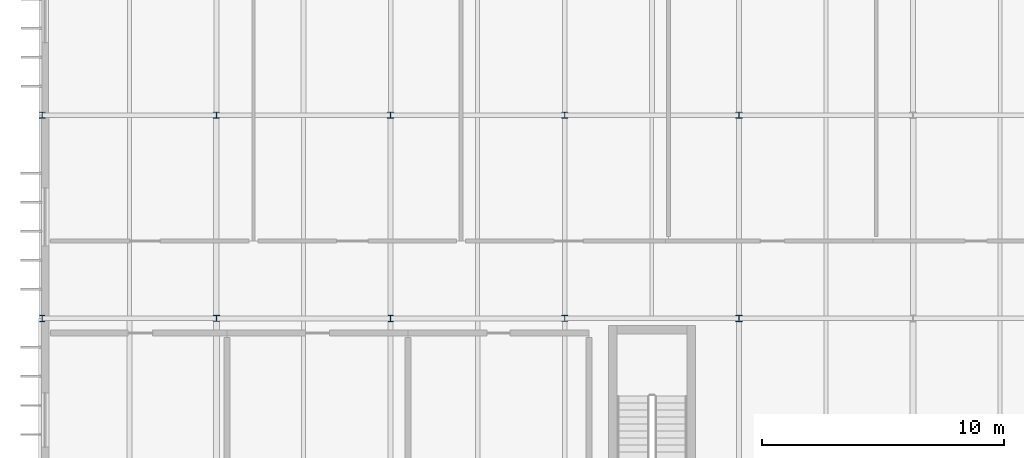
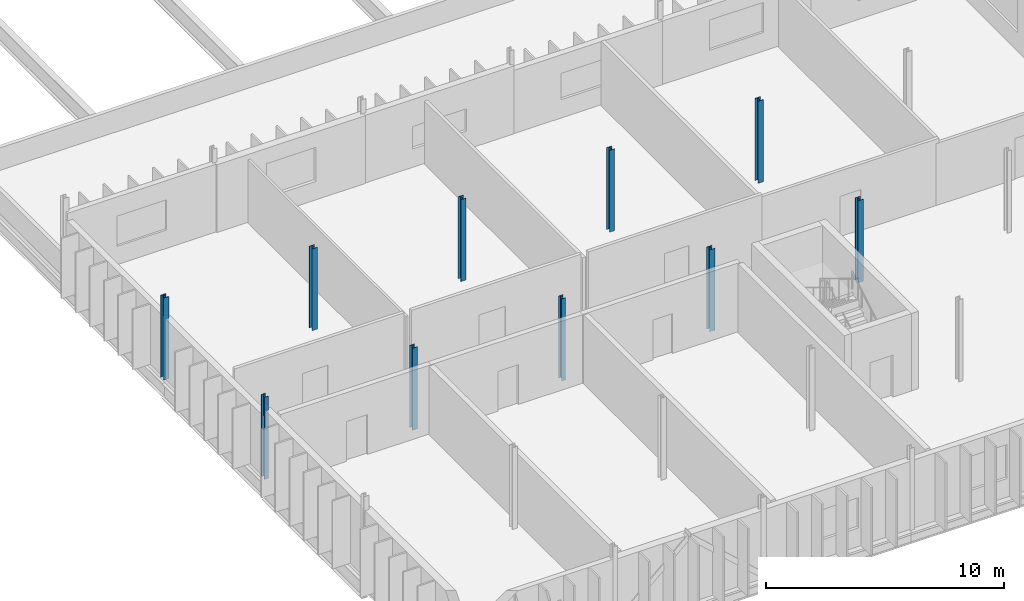
# One storey, part 2 of 119: 10 columns.
"""IFC4 building model written with IfcOpenShell, lengths in metres."""

import ifcopenshell
import ifcopenshell.guid

model = None  # the IFC model being written
_history = None  # IfcOwnerHistory: only IFC2X3 demands one
_inside = {}  # id of a spatial element -> (the spatial element, [elements in it])
_under = {}  # id of a project, library or spatial element -> (it, [spatial elements below it])
_declared = {}  # id of a project -> (the project, [libraries it declares])
_typed = {}  # id of a type object -> (the type object, [elements of that type])
_made_of = {}  # id of a material, layer set ... -> (it, [elements and type objects made of it])


def new_model(schema):
    """Start an empty IFC model of exactly this schema.

    Asked for "IFC4X3", IfcOpenShell would pick the latest addendum, in which some entities
    have other attributes; the version numbers below select the first issue.
    IFC2X3 requires an IfcOwnerHistory on every rooted entity: one is made here for all.
    """
    global model, _history
    if schema == "IFC4X3":
        model = ifcopenshell.file(schema_version=(4, 3, 0, 0))
    else:
        model = ifcopenshell.file(schema=schema)
    _inside.clear()
    _under.clear()
    _declared.clear()
    _typed.clear()
    _made_of.clear()
    _history = None
    if model.schema == "IFC2X3":
        org = make("IfcOrganization", Name="unknown")
        user = make(
            "IfcPersonAndOrganization",
            ThePerson=make("IfcPerson", FamilyName="unknown"),
            TheOrganization=org,
        )
        app = make(
            "IfcApplication",
            ApplicationDeveloper=org,
            Version="unknown",
            ApplicationFullName="unknown",
            ApplicationIdentifier="unknown",
        )
        _history = make(
            "IfcOwnerHistory",
            OwningUser=user,
            OwningApplication=app,
            ChangeAction="ADDED",
            CreationDate=0,
        )
    return model


def make(cls, **values):
    """One entity of the class cls with the attributes given. An attribute that is None is left unset."""
    return model.create_entity(
        cls, **{name: value for name, value in values.items() if value is not None}
    )


def rooted(cls, **values):
    """An entity with a GlobalId (a new one), such as an element, a storey or a relation."""
    return make(cls, GlobalId=ifcopenshell.guid.new(), OwnerHistory=_history, **values)


def si_unit(unit_type, name, prefix=None):
    """IfcSIUnit, for example si_unit("LENGTHUNIT", "METRE", prefix="MILLI")."""
    return make("IfcSIUnit", UnitType=unit_type, Prefix=prefix, Name=name)


def assignment(units):
    """IfcUnitAssignment: the units of a project."""
    return None if units is None else make("IfcUnitAssignment", Units=units)


def point(xyz):
    """IfcCartesianPoint."""
    return None if xyz is None else make("IfcCartesianPoint", Coordinates=xyz)


def direction(xyz):
    """IfcDirection."""
    return None if xyz is None else make("IfcDirection", DirectionRatios=xyz)


def frame(location, z_axis=None, x_axis=None):
    """IfcAxis2Placement3D, a coordinate frame: its origin and axes. An axis left out is left unset."""
    return make(
        "IfcAxis2Placement3D",
        Location=point(location),
        Axis=direction(z_axis),
        RefDirection=direction(x_axis),
    )


def frame_2d(location, x_axis=None):
    """IfcAxis2Placement2D, a coordinate frame in the plane: its origin and x axis."""
    return make(
        "IfcAxis2Placement2D", Location=point(location), RefDirection=direction(x_axis)
    )


def origin():
    """The frame at (0, 0, 0) with its axes left unset."""
    return frame((0.0, 0.0, 0.0))


def origin_2d():
    """The frame at (0, 0) in the plane with its x axis left unset."""
    return frame_2d((0.0, 0.0))


def place(relative_to, where):
    """IfcLocalPlacement: puts the frame where relative to a parent placement (None: the world)."""
    return make(
        "IfcLocalPlacement", PlacementRelTo=relative_to, RelativePlacement=where
    )


def context(
    kind, dimensions, precision=None, world=None, true_north=None, identifier=None
):
    """IfcGeometricRepresentationContext, for example the 3D "Model" context."""
    return make(
        "IfcGeometricRepresentationContext",
        ContextIdentifier=identifier,
        ContextType=kind,
        CoordinateSpaceDimension=dimensions,
        Precision=precision,
        WorldCoordinateSystem=world,
        TrueNorth=true_north,
    )


def subcontext(parent, identifier, kind, view, scale=None):
    """IfcGeometricRepresentationSubContext, for example "Body" below "Model"."""
    return make(
        "IfcGeometricRepresentationSubContext",
        ContextIdentifier=identifier,
        ContextType=kind,
        ParentContext=parent,
        TargetScale=scale,
        TargetView=view,
    )


def project(units=None, contexts=None):
    """IfcProject with its units and contexts."""
    return rooted(
        "IfcProject",
        Name="project",
        RepresentationContexts=contexts,
        UnitsInContext=assignment(units),
    )


def spatial(cls, under=None, at=None, **own):
    """A site, building, storey or space (cls), placed at a placement, below another one or the project."""
    s = rooted(cls, ObjectPlacement=at, **own)
    if under is not None:
        _under.setdefault(under.id(), (under, []))[1].append(s)
    return s


def profile(cls, at=None, kind="AREA", **sizes):
    """A parametric profile (cls). Its sizes go by their IFC names, for example OverallWidth=200.0."""
    return make(cls, ProfileType=kind, Position=at, **sizes)


def i_section(**sizes):
    """IfcIShapeProfileDef."""
    return profile("IfcIShapeProfileDef", **sizes)


def extrude(swept, where, along, depth):
    """IfcExtrudedAreaSolid: the profile swept, set in the frame where, extruded along a direction by depth."""
    return make(
        "IfcExtrudedAreaSolid",
        SweptArea=swept,
        Position=where,
        ExtrudedDirection=direction(along),
        Depth=depth,
    )


def shape(context_of_items, identifier, shape_type, items):
    """IfcShapeRepresentation: the items that make up one representation, for example the "Body"."""
    return make(
        "IfcShapeRepresentation",
        ContextOfItems=context_of_items,
        RepresentationIdentifier=identifier,
        RepresentationType=shape_type,
        Items=items,
    )


def material(Name=None, Category=None):
    """IfcMaterial."""
    return make("IfcMaterial", Name=Name, Category=Category)


def material_profile(
    of_material, cross_section, Name=None, Category=None, Priority=None
):
    """IfcMaterialProfile: a cross section and its material."""
    return make(
        "IfcMaterialProfile",
        Name=Name,
        Material=of_material,
        Profile=cross_section,
        Priority=Priority,
        Category=Category,
    )


def profile_set(profiles, Name=None, composite=None):
    """IfcMaterialProfileSet."""
    return make(
        "IfcMaterialProfileSet",
        Name=Name,
        MaterialProfiles=profiles,
        CompositeProfile=composite,
    )


def made_of(thing, what):
    """Note that an element or type object is made of a material, layer set ...; save() writes the relation."""
    if what is not None:
        _made_of.setdefault(what.id(), (what, []))[1].append(thing)
    return thing


def type_object(cls, material=None, **own):
    """A type object (cls), such as IfcWallType, which elements share."""
    return made_of(rooted(cls, **own), material)


def element(
    cls,
    number,
    at=None,
    inside=None,
    cuts=None,
    type_object=None,
    material=None,
    context=None,
    identifier="Body",
    shape_type=None,
    held_by="IfcProductDefinitionShape",
    body=None,
    shapes=None,
    **own,
):
    """One element of the class cls, such as IfcWall. Its Tag is "e" and its number.

    at: its placement. inside: the storey or other place that contains it. cuts: it is an
    opening in that element (IfcRelVoidsElement). A single representation is given by context,
    identifier, shape_type and body (its items); several are given by shapes. held_by: the class
    of the entity that holds the representations. save() writes the other relations.
    """
    e = rooted(cls, Tag="e%d" % number, ObjectPlacement=at, **own)
    if body is not None:
        shapes = [shape(context, identifier, shape_type, body)]
    if shapes is not None:
        e.Representation = make(held_by, Representations=shapes)
    if inside is not None:
        _inside.setdefault(inside.id(), (inside, []))[1].append(e)
    if cuts is not None:
        rooted(
            "IfcRelVoidsElement", RelatingBuildingElement=cuts, RelatedOpeningElement=e
        )
    if type_object is not None:
        _typed.setdefault(type_object.id(), (type_object, []))[1].append(e)
    return made_of(e, material)


def aggregate(whole, parts):
    """IfcRelAggregates: a whole, such as a stair, and the parts it consists of."""
    return rooted("IfcRelAggregates", RelatingObject=whole, RelatedObjects=parts)


def save(model, path):
    """Write the relations noted so far, then the file.

    IfcRelAggregates (storeys below a building ...), IfcRelContainedInSpatialStructure (elements
    in a storey), IfcRelDefinesByType, IfcRelAssociatesMaterial and IfcRelDeclares: one each for
    every whole, place, type object, material and project.
    """
    for whole, parts in _under.values():
        aggregate(whole, parts)
    for where, things in _inside.values():
        rooted(
            "IfcRelContainedInSpatialStructure",
            RelatedElements=things,
            RelatingStructure=where,
        )
    for kind, things in _typed.values():
        rooted("IfcRelDefinesByType", RelatedObjects=things, RelatingType=kind)
    for what, things in _made_of.values():
        rooted("IfcRelAssociatesMaterial", RelatedObjects=things, RelatingMaterial=what)
    for by, libraries in _declared.values():
        rooted("IfcRelDeclares", RelatingContext=by, RelatedDefinitions=libraries)
    model.write(path)


model = new_model("IFC4")

# Units and contexts
model_context = context("Model", 3, precision=1e-05, world=origin(), true_north=direction((0.0, 1.0)))
body_context = subcontext(model_context, "Body", "Model", "MODEL_VIEW")
ifc_project = project(units=[si_unit("LENGTHUNIT", "METRE"), si_unit("AREAUNIT", "SQUARE_METRE"), si_unit("VOLUMEUNIT", "CUBIC_METRE"), si_unit("PLANEANGLEUNIT", "RADIAN"), si_unit("MASSUNIT", "GRAM", prefix="KILO")], contexts=[model_context])

# Site, building, storey
site_placement = place(None, origin())
site = spatial("IfcSite", under=ifc_project, at=site_placement, CompositionType="ELEMENT")
building_placement = place(site_placement, origin())
building = spatial("IfcBuilding", under=site, at=building_placement, Name="Qelthora Terrace Specialist Clinic", CompositionType="ELEMENT")
storey_placement = place(building_placement, frame((0.0, 0.0, 4.800048828125)))
storey = spatial("IfcBuildingStorey", under=building, at=storey_placement, Name="L01", CompositionType="ELEMENT", Elevation=4.800048828125)

# Columns
ifc_material = material(Name="Steel S355", Category="steel")
ifc_material_profile_1 = material_profile(ifc_material, i_section(OverallWidth=0.2041015625, OverallDepth=0.257080078125, WebThickness=0.0087890625, FlangeThickness=0.015625, FilletRadius=0.012939453125, at=origin_2d()), Name="W250X67")
ifc_profile_set_1 = profile_set([ifc_material_profile_1], Name="Steel S355")
column_type_1 = type_object("IfcColumnType", Name="COL-W250X67", PredefinedType="COLUMN", material=ifc_profile_set_1)
for number, where, z_axis, x_axis, name in (
    (1, (0.0, 16.800048828125, 0.0), (0.0, 0.0, 1.0), (1.0, 0.0, 0.0), "Column L01-003"),
    (2, (14.39990234375, 16.800048828125, 0.0), (0.0, 0.0, 1.0), (1.0, 0.0, 0.0), "Column L01-031"),
):
    element("IfcColumn", number, at=place(storey_placement, frame(where, z_axis=z_axis, x_axis=x_axis)), inside=storey, type_object=column_type_1, Name=name, PredefinedType="COLUMN", context=body_context, shape_type="SweptSolid", body=[
        extrude(i_section(OverallWidth=0.2041015625, OverallDepth=0.257080078125, WebThickness=0.0087890625, FlangeThickness=0.015625, FilletRadius=0.012939453125, at=origin_2d()), origin(), (0.0, 0.0, 1.0), 4.199951171875),
    ])
ifc_material_profile_2 = material_profile(ifc_material, i_section(OverallWidth=0.25390625, OverallDepth=0.2529296875, WebThickness=0.008544921875, FlangeThickness=0.01416015625, FilletRadius=0.012939453125, at=origin_2d()), Name="W250X73")
ifc_profile_set_2 = profile_set([ifc_material_profile_2], Name="Steel S355")
column_type_2 = type_object("IfcColumnType", Name="COL-W250X73", PredefinedType="COLUMN", material=ifc_profile_set_2)
for number, where, z_axis, x_axis, name in (
    (3, (7.199951171875, 25.199951171875, 0.0), (0.0, 0.0, 1.0), (1.0, 0.0, 0.0), "Column L01-018"),
    (4, (21.60009765625, 25.199951171875, 0.0), (0.0, 0.0, 1.0), (1.0, 0.0, 0.0), "Column L01-046"),
):
    element("IfcColumn", number, at=place(storey_placement, frame(where, z_axis=z_axis, x_axis=x_axis)), inside=storey, type_object=column_type_2, Name=name, PredefinedType="COLUMN", context=body_context, shape_type="SweptSolid", body=[
        extrude(i_section(OverallWidth=0.25390625, OverallDepth=0.2529296875, WebThickness=0.008544921875, FlangeThickness=0.01416015625, FilletRadius=0.012939453125, at=origin_2d()), origin(), (0.0, 0.0, 1.0), 4.199951171875),
    ])
ifc_material_profile_3 = material_profile(ifc_material, i_section(OverallWidth=0.2548828125, OverallDepth=0.256103515625, WebThickness=0.009521484375, FlangeThickness=0.015625, FilletRadius=0.012939453125, at=origin_2d()), Name="W250X80")
ifc_profile_set_3 = profile_set([ifc_material_profile_3], Name="Steel S355")
column_type_3 = type_object("IfcColumnType", Name="COL-W250X80", PredefinedType="COLUMN", material=ifc_profile_set_3)
for number, where, z_axis, x_axis, name in (
    (5, (7.199951171875, 16.800048828125, 0.0), (0.0, 0.0, 1.0), (1.0, 0.0, 0.0), "Column L01-017"),
    (6, (21.60009765625, 16.800048828125, 0.0), (0.0, 0.0, 1.0), (1.0, 0.0, 0.0), "Column L01-045"),
    (7, (28.800048828125, 25.199951171875, 0.0), (0.0, 0.0, 1.0), (1.0, 0.0, 0.0), "Column L01-057"),
):
    element("IfcColumn", number, at=place(storey_placement, frame(where, z_axis=z_axis, x_axis=x_axis)), inside=storey, type_object=column_type_3, Name=name, PredefinedType="COLUMN", context=body_context, shape_type="SweptSolid", body=[
        extrude(i_section(OverallWidth=0.2548828125, OverallDepth=0.256103515625, WebThickness=0.009521484375, FlangeThickness=0.015625, FilletRadius=0.012939453125, at=origin_2d()), origin(), (0.0, 0.0, 1.0), 4.199951171875),
    ])
ifc_material_profile_4 = material_profile(ifc_material, i_section(OverallWidth=0.256103515625, OverallDepth=0.260009765625, WebThickness=0.0107421875, FlangeThickness=0.017333984375, FilletRadius=0.012939453125, at=origin_2d()), Name="W250X89")
ifc_profile_set_4 = profile_set([ifc_material_profile_4], Name="Steel S355")
column_type_4 = type_object("IfcColumnType", Name="COL-W250X89", PredefinedType="COLUMN", material=ifc_profile_set_4)
for number, where, z_axis, x_axis, name in (
    (8, (0.0, 25.199951171875, 0.0), (0.0, 0.0, 1.0), (1.0, 0.0, 0.0), "Column L01-004"),
    (9, (14.39990234375, 25.199951171875, 0.0), (0.0, 0.0, 1.0), (1.0, 0.0, 0.0), "Column L01-032"),
    (10, (28.800048828125, 16.800048828125, 0.0), (0.0, 0.0, 1.0), (1.0, 0.0, 0.0), "Column L01-056"),
):
    element("IfcColumn", number, at=place(storey_placement, frame(where, z_axis=z_axis, x_axis=x_axis)), inside=storey, type_object=column_type_4, Name=name, PredefinedType="COLUMN", context=body_context, shape_type="SweptSolid", body=[
        extrude(i_section(OverallWidth=0.256103515625, OverallDepth=0.260009765625, WebThickness=0.0107421875, FlangeThickness=0.017333984375, FilletRadius=0.012939453125, at=origin_2d()), origin(), (0.0, 0.0, 1.0), 4.199951171875),
    ])

save(model, "model.ifc")
